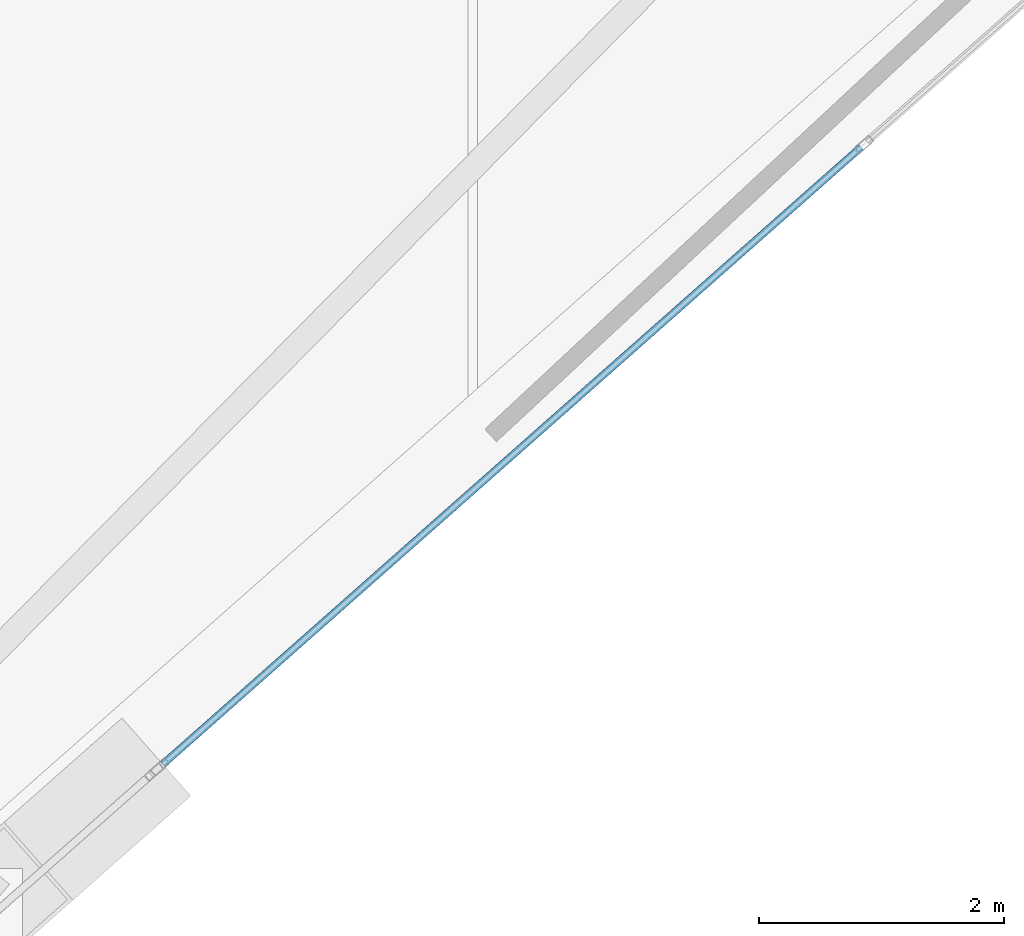
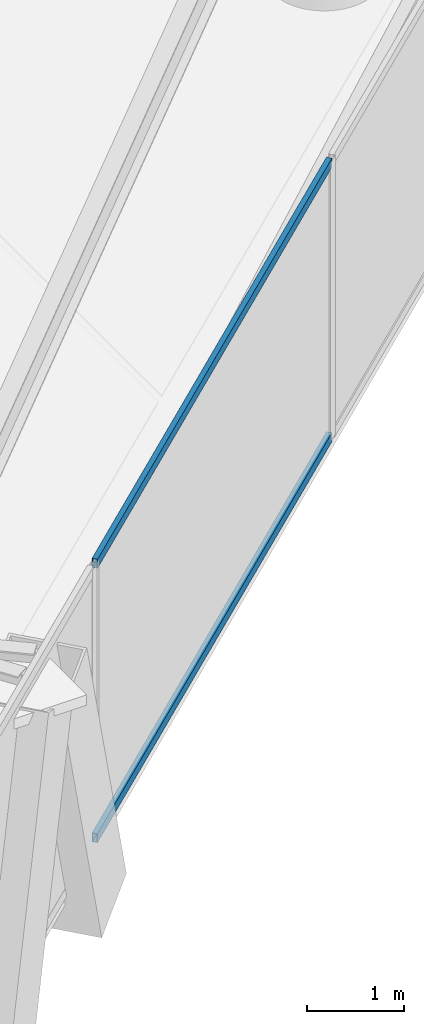
# One storey, part 7 of 23: 2 members, 1 element without a shape of its own.
"""IFC4 building model written with IfcOpenShell, lengths in metres."""

from ifc_helpers import new_model, si_unit, direction, frame, origin, origin_2d, place, context, subcontext, project, spatial, hollow_rectangle, extrude, material, layer, layer_set, material_profile, profile_set, type_object, element, aggregate, save


model = new_model("IFC4")

# Units and contexts
model_context = context("Model", 3, precision=1e-05, world=origin(), true_north=direction((0.0, 1.0)))
body_context = subcontext(model_context, "Body", "Model", "MODEL_VIEW")
ifc_project = project(units=[si_unit("LENGTHUNIT", "METRE"), si_unit("AREAUNIT", "SQUARE_METRE"), si_unit("VOLUMEUNIT", "CUBIC_METRE"), si_unit("PLANEANGLEUNIT", "RADIAN"), si_unit("MASSUNIT", "GRAM", prefix="KILO")], contexts=[model_context])

# Site, building, storey
site_placement = place(None, origin())
site = spatial("IfcSite", under=ifc_project, at=site_placement, CompositionType="ELEMENT")
building_placement = place(site_placement, origin())
building = spatial("IfcBuilding", under=site, at=building_placement, Name="Qianvela Tower", CompositionType="ELEMENT")
storey_placement = place(building_placement, frame((0.0, 0.0, 218.800048828125)))
storey = spatial("IfcBuildingStorey", under=building, at=storey_placement, Name="L56", CompositionType="ELEMENT", Elevation=218.800048828125)

# Curtain wall, members
ifc_material_1 = material(Name="Anodised Architectural Aluminium and Low-E Glass", Category="aluminium")
ifc_layer = layer(ifc_material_1, 0.159912109375)
ifc_layer_set = layer_set([ifc_layer], Name="Anodised Architectural Aluminium and Low-E Glass")
curtain_wall_type = type_object("IfcCurtainWallType", Name="CW-COLIV-Z56", PredefinedType="USERDEFINED", material=ifc_layer_set)
curtain_wall_placement = place(storey_placement, origin())
curtain_wall = element("IfcCurtainWall", 1, at=curtain_wall_placement, inside=storey, type_object=curtain_wall_type, Name="L56 CW-COLIV-Z56 Curtain Wall 06C", ObjectType="CURTAIN_WALL_SYSTEM", PredefinedType="USERDEFINED")
ifc_material_2 = material(Name="Anodised Architectural Aluminium 6063-T6", Category="aluminium")
ifc_material_profile = material_profile(ifc_material_2, hollow_rectangle(XDim=0.06005859375, YDim=0.114990234375, WallThickness=0.00390625, at=origin_2d()), Name="ALU-TRAN-60x115")
ifc_profile_set = profile_set([ifc_material_profile], Name="Anodised Architectural Aluminium 6063-T6")
member_type = type_object("IfcMemberType", Name="CW-COLIV-Z56-TRAN", PredefinedType="USERDEFINED", material=ifc_profile_set)
member_1_placement = place(storey_placement, frame((47.091552734375, 19.025146484375, 0.030029296875), z_axis=(0.749276582265, 0.662257203259, 0.0), x_axis=(-0.662257203259, 0.749276582265, 0.0)))
member_1 = element("IfcMember", 2, at=member_1_placement, type_object=member_type, Name="CW-5 transom 1.1", ObjectType="TRANSOM", PredefinedType="USERDEFINED", context=body_context, shape_type="SweptSolid", body=[
    extrude(hollow_rectangle(XDim=0.06005859375, YDim=0.114990234375, WallThickness=0.00390625, at=origin_2d()), origin(), (0.0, 0.0, 1.0), 7.619873046875),
])
member_2_placement = place(storey_placement, frame((47.091552734375, 19.025146484375, 3.489990234375), z_axis=(0.749276582265, 0.662257203259, 0.0), x_axis=(-0.662257203259, 0.749276582265, 0.0)))
member_2 = element("IfcMember", 3, at=member_2_placement, type_object=member_type, Name="CW-5 transom 1.2", ObjectType="TRANSOM", PredefinedType="USERDEFINED", context=body_context, shape_type="SweptSolid", body=[
    extrude(hollow_rectangle(XDim=0.06005859375, YDim=0.114990234375, WallThickness=0.00390625, at=origin_2d()), origin(), (0.0, 0.0, 1.0), 7.619873046875),
])
aggregate(curtain_wall, [member_1, member_2])

save(model, "model.ifc")
